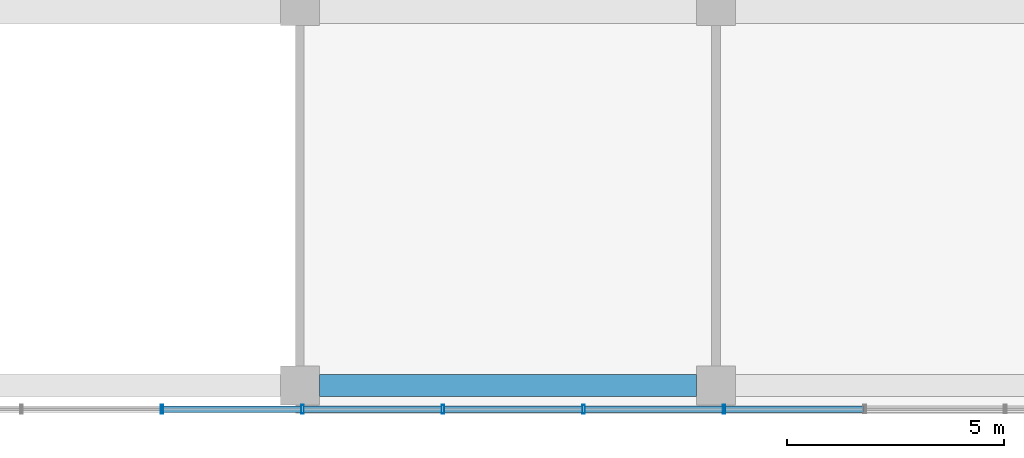
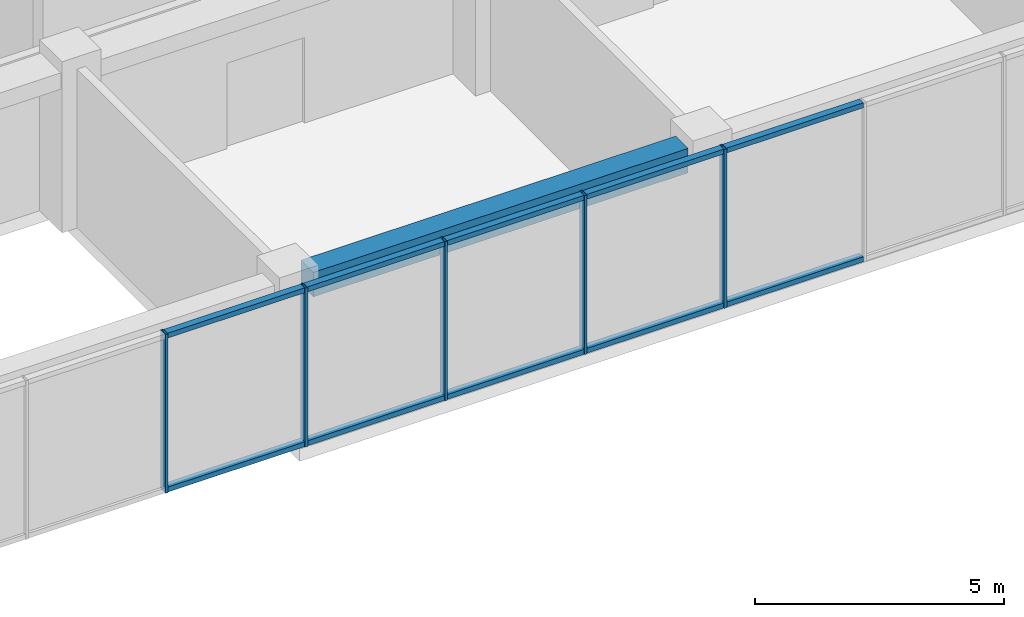
# One storey, part 4 of 37: 15 members, 1 beam, 1 element without a shape of its own.
"""IFC4 building model written with IfcOpenShell, lengths in metres."""

from ifc_helpers import new_model, si_unit, direction, frame, origin, origin_2d, place, context, subcontext, project, spatial, rectangle, hollow_rectangle, extrude, material, layer, layer_set, material_profile, profile_set, type_object, element, aggregate, save


model = new_model("IFC4")

# Units and contexts
model_context = context("Model", 3, precision=1e-05, world=origin(), true_north=direction((0.0, 1.0)))
body_context = subcontext(model_context, "Body", "Model", "MODEL_VIEW")
ifc_project = project(units=[si_unit("LENGTHUNIT", "METRE"), si_unit("AREAUNIT", "SQUARE_METRE"), si_unit("VOLUMEUNIT", "CUBIC_METRE"), si_unit("PLANEANGLEUNIT", "RADIAN"), si_unit("MASSUNIT", "GRAM", prefix="KILO")], contexts=[model_context])

# Site, building, storey
site_placement = place(None, origin())
site = spatial("IfcSite", under=ifc_project, at=site_placement, CompositionType="ELEMENT")
building_placement = place(site_placement, origin())
building = spatial("IfcBuilding", under=site, at=building_placement, Name="Nzadi Deep Aquarium and Research Tower", CompositionType="ELEMENT")
storey_placement = place(building_placement, frame((0.0, 0.0, 61.300048828125)))
storey = spatial("IfcBuildingStorey", under=building, at=storey_placement, Name="L12", CompositionType="ELEMENT", Elevation=61.300048828125)

# Curtain wall, members
ifc_material_1 = material(Name="Aluminium unitised frame", Category="aluminium")
ifc_layer = layer(ifc_material_1, 0.199951171875)
ifc_layer_set = layer_set([ifc_layer], Name="Aluminium unitised frame")
curtain_wall_type = type_object("IfcCurtainWallType", Name="Curtain wall Unitised 200", PredefinedType="NOTDEFINED", material=ifc_layer_set)
curtain_wall_placement = place(storey_placement, origin())
curtain_wall = element("IfcCurtainWall", 1, at=curtain_wall_placement, inside=storey, type_object=curtain_wall_type, Name="Unitised curtain wall blade A south L12", PredefinedType="NOTDEFINED")
ifc_material_2 = material(Name="Aluminium unitised frame", Category="aluminium")
ifc_material_profile_1 = material_profile(ifc_material_2, hollow_rectangle(XDim=0.199951171875, YDim=0.06005859375, WallThickness=0.0048828125, at=origin_2d()))
ifc_profile_set_1 = profile_set([ifc_material_profile_1], Name="Aluminium unitised frame")
member_type_1 = type_object("IfcMemberType", Name="Mullion 60x200 Unitised", PredefinedType="MULLION", material=ifc_profile_set_1)
member_1_placement = place(storey_placement, frame((16.0166015625, -0.10009765625, 0.0), z_axis=(0.0, 0.0, 1.0), x_axis=(0.0, 1.0, 0.0)))
member_1 = element("IfcMember", 2, at=member_1_placement, type_object=member_type_1, Name="CW050 mullion 6", PredefinedType="MULLION", context=body_context, shape_type="SweptSolid", body=[
    extrude(hollow_rectangle(XDim=0.199951171875, YDim=0.06005859375, WallThickness=0.0048828125, at=origin_2d()), origin(), (0.0, 0.0, 1.0), 3.89990234375),
])
member_2_placement = place(storey_placement, frame((19.260009765625, -0.10009765625, 0.0), z_axis=(0.0, 0.0, 1.0), x_axis=(0.0, 1.0, 0.0)))
member_2 = element("IfcMember", 3, at=member_2_placement, type_object=member_type_1, Name="CW050 mullion 7", PredefinedType="MULLION", context=body_context, shape_type="SweptSolid", body=[
    extrude(hollow_rectangle(XDim=0.199951171875, YDim=0.06005859375, WallThickness=0.0048828125, at=origin_2d()), origin(), (0.0, 0.0, 1.0), 3.89990234375),
])
member_3_placement = place(storey_placement, frame((22.50341796875, -0.10009765625, 0.0), z_axis=(0.0, 0.0, 1.0), x_axis=(0.0, 1.0, 0.0)))
member_3 = element("IfcMember", 4, at=member_3_placement, type_object=member_type_1, Name="CW050 mullion 8", PredefinedType="MULLION", context=body_context, shape_type="SweptSolid", body=[
    extrude(hollow_rectangle(XDim=0.199951171875, YDim=0.06005859375, WallThickness=0.0048828125, at=origin_2d()), origin(), (0.0, 0.0, 1.0), 3.89990234375),
])
member_4_placement = place(storey_placement, frame((25.74658203125, -0.10009765625, 0.0), z_axis=(0.0, 0.0, 1.0), x_axis=(0.0, 1.0, 0.0)))
member_4 = element("IfcMember", 5, at=member_4_placement, type_object=member_type_1, Name="CW050 mullion 9", PredefinedType="MULLION", context=body_context, shape_type="SweptSolid", body=[
    extrude(hollow_rectangle(XDim=0.199951171875, YDim=0.06005859375, WallThickness=0.0048828125, at=origin_2d()), origin(), (0.0, 0.0, 1.0), 3.89990234375),
])
member_5_placement = place(storey_placement, frame((28.989990234375, -0.10009765625, 0.0), z_axis=(0.0, 0.0, 1.0), x_axis=(0.0, 1.0, 0.0)))
member_5 = element("IfcMember", 6, at=member_5_placement, type_object=member_type_1, Name="CW050 mullion 10", PredefinedType="MULLION", context=body_context, shape_type="SweptSolid", body=[
    extrude(hollow_rectangle(XDim=0.199951171875, YDim=0.06005859375, WallThickness=0.0048828125, at=origin_2d()), origin(), (0.0, 0.0, 1.0), 3.89990234375),
])

# Beam
ifc_material_3 = material(Name="Concrete C35/45", Category="concrete")
ifc_material_profile_2 = material_profile(ifc_material_3, rectangle(XDim=0.5, YDim=0.60009765625, at=origin_2d()))
ifc_profile_set_2 = profile_set([ifc_material_profile_2], Name="Concrete C35/45")
beam_type = type_object("IfcBeamType", Name="RC 500x600", PredefinedType="BEAM", material=ifc_profile_set_2)
beam_placement = place(storey_placement, frame((19.64990234375, 0.449951171875, 3.599853515625), z_axis=(1.0, 0.0, 0.0), x_axis=(0.0, 1.0, 0.0)))
element("IfcBeam", 7, at=beam_placement, inside=storey, type_object=beam_type, Name="B-Z1-L12-L1-3", PredefinedType="BEAM", context=body_context, shape_type="SweptSolid", body=[
    extrude(rectangle(XDim=0.5, YDim=0.60009765625, at=origin_2d()), origin(), (0.0, 0.0, 1.0), 8.7001953125),
])

# Member
ifc_material_4 = material(Name="Aluminium unitised frame", Category="aluminium")
ifc_material_profile_3 = material_profile(ifc_material_4, hollow_rectangle(XDim=0.159912109375, YDim=0.1201171875, WallThickness=0.0048828125, at=origin_2d()))
ifc_profile_set_3 = profile_set([ifc_material_profile_3], Name="Aluminium unitised frame")
member_type_2 = type_object("IfcMemberType", Name="Transom 120x160 Unitised", PredefinedType="MULLION", material=ifc_profile_set_3)
member_6_placement = place(storey_placement, frame((16.046630859375, -0.10009765625, 0.06005859375), z_axis=(1.0, 0.0, 0.0), x_axis=(0.0, 1.0, 0.0)))
member_6 = element("IfcMember", 8, at=member_6_placement, type_object=member_type_2, Name="CW050 transom 6.1", PredefinedType="MULLION", context=body_context, shape_type="SweptSolid", body=[
    extrude(hollow_rectangle(XDim=0.159912109375, YDim=0.1201171875, WallThickness=0.0048828125, at=origin_2d()), origin(), (0.0, 0.0, 1.0), 3.183349609375),
])

member_7_placement = place(storey_placement, frame((16.046630859375, -0.10009765625, 3.83984375), z_axis=(1.0, 0.0, 0.0), x_axis=(0.0, 1.0, 0.0)))
member_7 = element("IfcMember", 9, at=member_7_placement, type_object=member_type_2, Name="CW050 transom 6.2", PredefinedType="MULLION", context=body_context, shape_type="SweptSolid", body=[
    extrude(hollow_rectangle(XDim=0.159912109375, YDim=0.1201171875, WallThickness=0.0048828125, at=origin_2d()), origin(), (0.0, 0.0, 1.0), 3.183349609375),
])

member_8_placement = place(storey_placement, frame((19.2900390625, -0.10009765625, 0.06005859375), z_axis=(1.0, 0.0, 0.0), x_axis=(0.0, 1.0, 0.0)))
member_8 = element("IfcMember", 10, at=member_8_placement, type_object=member_type_2, Name="CW050 transom 7.1", PredefinedType="MULLION", context=body_context, shape_type="SweptSolid", body=[
    extrude(hollow_rectangle(XDim=0.159912109375, YDim=0.1201171875, WallThickness=0.0048828125, at=origin_2d()), origin(), (0.0, 0.0, 1.0), 3.183349609375),
])

member_9_placement = place(storey_placement, frame((19.2900390625, -0.10009765625, 3.83984375), z_axis=(1.0, 0.0, 0.0), x_axis=(0.0, 1.0, 0.0)))
member_9 = element("IfcMember", 11, at=member_9_placement, type_object=member_type_2, Name="CW050 transom 7.2", PredefinedType="MULLION", context=body_context, shape_type="SweptSolid", body=[
    extrude(hollow_rectangle(XDim=0.159912109375, YDim=0.1201171875, WallThickness=0.0048828125, at=origin_2d()), origin(), (0.0, 0.0, 1.0), 3.183349609375),
])

member_10_placement = place(storey_placement, frame((22.533447265625, -0.10009765625, 0.06005859375), z_axis=(1.0, 0.0, 0.0), x_axis=(0.0, 1.0, 0.0)))
member_10 = element("IfcMember", 12, at=member_10_placement, type_object=member_type_2, Name="CW050 transom 8.1", PredefinedType="MULLION", context=body_context, shape_type="SweptSolid", body=[
    extrude(hollow_rectangle(XDim=0.159912109375, YDim=0.1201171875, WallThickness=0.0048828125, at=origin_2d()), origin(), (0.0, 0.0, 1.0), 3.18310546875),
])

member_11_placement = place(storey_placement, frame((22.533447265625, -0.10009765625, 3.83984375), z_axis=(1.0, 0.0, 0.0), x_axis=(0.0, 1.0, 0.0)))
member_11 = element("IfcMember", 13, at=member_11_placement, type_object=member_type_2, Name="CW050 transom 8.2", PredefinedType="MULLION", context=body_context, shape_type="SweptSolid", body=[
    extrude(hollow_rectangle(XDim=0.159912109375, YDim=0.1201171875, WallThickness=0.0048828125, at=origin_2d()), origin(), (0.0, 0.0, 1.0), 3.18310546875),
])

member_12_placement = place(storey_placement, frame((25.776611328125, -0.10009765625, 0.06005859375), z_axis=(1.0, 0.0, 0.0), x_axis=(0.0, 1.0, 0.0)))
member_12 = element("IfcMember", 14, at=member_12_placement, type_object=member_type_2, Name="CW050 transom 9.1", PredefinedType="MULLION", context=body_context, shape_type="SweptSolid", body=[
    extrude(hollow_rectangle(XDim=0.159912109375, YDim=0.1201171875, WallThickness=0.0048828125, at=origin_2d()), origin(), (0.0, 0.0, 1.0), 3.183349609375),
])

member_13_placement = place(storey_placement, frame((25.776611328125, -0.10009765625, 3.83984375), z_axis=(1.0, 0.0, 0.0), x_axis=(0.0, 1.0, 0.0)))
member_13 = element("IfcMember", 15, at=member_13_placement, type_object=member_type_2, Name="CW050 transom 9.2", PredefinedType="MULLION", context=body_context, shape_type="SweptSolid", body=[
    extrude(hollow_rectangle(XDim=0.159912109375, YDim=0.1201171875, WallThickness=0.0048828125, at=origin_2d()), origin(), (0.0, 0.0, 1.0), 3.183349609375),
])

member_14_placement = place(storey_placement, frame((29.02001953125, -0.10009765625, 0.06005859375), z_axis=(1.0, 0.0, 0.0), x_axis=(0.0, 1.0, 0.0)))
member_14 = element("IfcMember", 16, at=member_14_placement, type_object=member_type_2, Name="CW050 transom 10.1", PredefinedType="MULLION", context=body_context, shape_type="SweptSolid", body=[
    extrude(hollow_rectangle(XDim=0.159912109375, YDim=0.1201171875, WallThickness=0.0048828125, at=origin_2d()), origin(), (0.0, 0.0, 1.0), 3.183349609375),
])

member_15_placement = place(storey_placement, frame((29.02001953125, -0.10009765625, 3.83984375), z_axis=(1.0, 0.0, 0.0), x_axis=(0.0, 1.0, 0.0)))
member_15 = element("IfcMember", 17, at=member_15_placement, type_object=member_type_2, Name="CW050 transom 10.2", PredefinedType="MULLION", context=body_context, shape_type="SweptSolid", body=[
    extrude(hollow_rectangle(XDim=0.159912109375, YDim=0.1201171875, WallThickness=0.0048828125, at=origin_2d()), origin(), (0.0, 0.0, 1.0), 3.183349609375),
])

aggregate(curtain_wall, [member_1, member_2, member_3, member_4, member_5, member_6, member_7, member_8, member_9, member_10, member_11, member_12, member_13, member_14, member_15])

save(model, "model.ifc")
